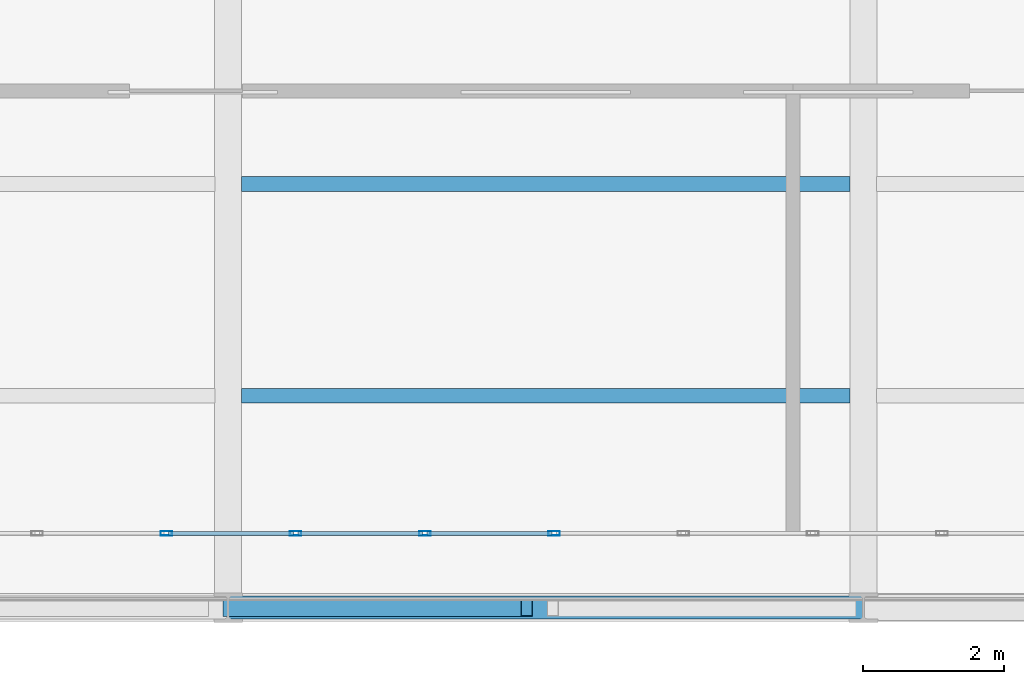
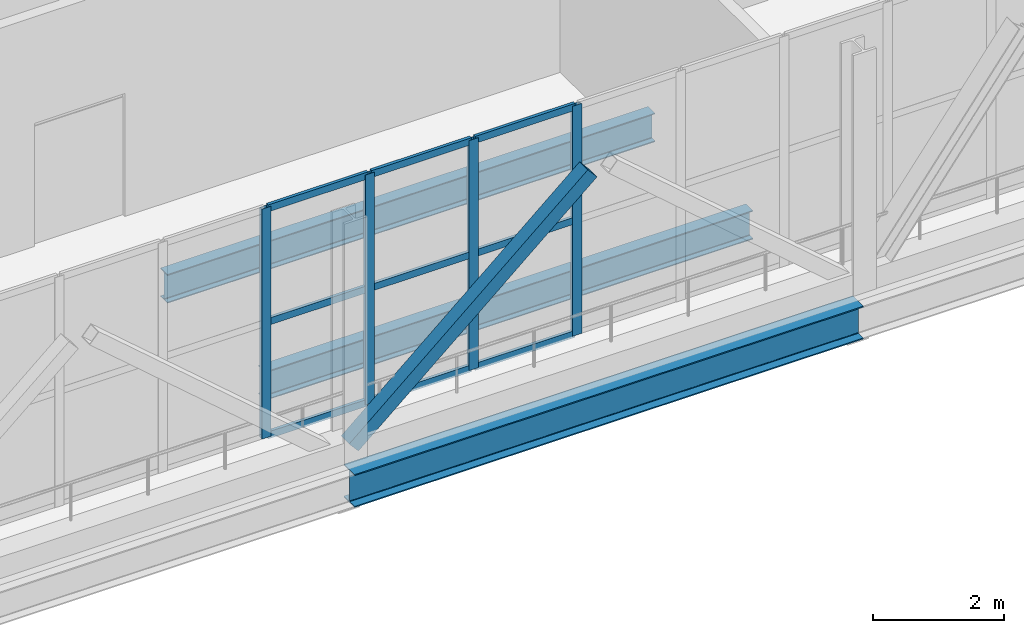
# One storey, part 4 of 26: 14 members, 3 beams, 1 element without a shape of its own.
"""IFC4 building model written with IfcOpenShell, lengths in metres."""

from ifc_helpers import new_model, si_unit, direction, frame, origin, origin_2d, place, context, subcontext, project, spatial, hollow_rectangle, i_section, extrude, material, layer, layer_set, material_profile, profile_set, type_object, element, aggregate, save


model = new_model("IFC4")

# Units and contexts
model_context = context("Model", 3, precision=1e-05, world=origin(), true_north=direction((0.0, 1.0)))
body_context = subcontext(model_context, "Body", "Model", "MODEL_VIEW")
ifc_project = project(units=[si_unit("LENGTHUNIT", "METRE"), si_unit("AREAUNIT", "SQUARE_METRE"), si_unit("VOLUMEUNIT", "CUBIC_METRE"), si_unit("PLANEANGLEUNIT", "RADIAN"), si_unit("MASSUNIT", "GRAM", prefix="KILO")], contexts=[model_context])

# Site, building, storey
site_placement = place(None, origin())
site = spatial("IfcSite", under=ifc_project, at=site_placement, CompositionType="ELEMENT")
building_placement = place(site_placement, origin())
building = spatial("IfcBuilding", under=site, at=building_placement, Name="Mawjdan Bourse Tower", CompositionType="ELEMENT")
storey_placement = place(building_placement, frame((0.0, 0.0, 226.800048828125)))
storey = spatial("IfcBuildingStorey", under=building, at=storey_placement, Name="L55", CompositionType="ELEMENT", Elevation=226.800048828125)

# Member
ifc_material_1 = material(Name="Structural Steel S355", Category="steel")
ifc_material_profile_1 = material_profile(ifc_material_1, hollow_rectangle(XDim=0.25, YDim=0.25, WallThickness=0.012451171875, at=origin_2d()), Name="HSS250X250X12.5")
ifc_profile_set_1 = profile_set([ifc_material_profile_1], Name="Structural Steel S355")
member_type_1 = type_object("IfcMemberType", Name="BRC-HSS250X250X12.5", PredefinedType="BRACE", material=ifc_profile_set_1)
member_1_placement = place(storey_placement, frame((33.008544921875, 3.0, 0.199951171875), z_axis=(0.756383065472, 0.0, 0.65412893092), x_axis=(0.0, 1.0, 0.0)))
element("IfcMember", 1, at=member_1_placement, inside=storey, type_object=member_type_1, Name="L55 East Outrigger Truss 1 Diagonal 3", PredefinedType="BRACE", context=body_context, shape_type="SweptSolid", body=[
    extrude(hollow_rectangle(XDim=0.25, YDim=0.25, WallThickness=0.012451171875, at=origin_2d()), origin(), (0.0, 0.0, 1.0), 5.579833984375),
])

# Beams
ifc_material_profile_2 = material_profile(ifc_material_1, i_section(OverallWidth=0.2099609375, OverallDepth=0.537109375, WebThickness=0.010986328125, FlangeThickness=0.017333984375, FilletRadius=0.013916015625, at=origin_2d()), Name="W21X68")
ifc_profile_set_2 = profile_set([ifc_material_profile_2], Name="Structural Steel S355")
beam_type_1 = type_object("IfcBeamType", Name="JST-W21X68", PredefinedType="JOIST", material=ifc_profile_set_2)
for number, where, z_axis, x_axis, name in (
    (2, (33.1884765625, 6.0, -0.548583984375), (1.0, 0.0, 0.0), (0.0, 1.0, 0.0), "L55 East Wing Composite Joist 018"),
    (3, (33.1884765625, 9.0, -0.548583984375), (1.0, 0.0, 0.0), (0.0, 1.0, 0.0), "L55 East Wing Composite Joist 023"),
):
    element("IfcBeam", number, at=place(storey_placement, frame(where, z_axis=z_axis, x_axis=x_axis)), inside=storey, type_object=beam_type_1, Name=name, PredefinedType="JOIST", context=body_context, shape_type="SweptSolid", body=[
        extrude(i_section(OverallWidth=0.2099609375, OverallDepth=0.537109375, WebThickness=0.010986328125, FlangeThickness=0.017333984375, FilletRadius=0.013916015625, at=origin_2d()), origin(), (0.0, 0.0, 1.0), 8.623046875),
    ])

# Curtain wall, members
ifc_material_2 = material(Name="Thermally Broken Aluminium and Solar Glass", Category="aluminium")
ifc_layer = layer(ifc_material_2, 0.219970703125)
ifc_layer_set = layer_set([ifc_layer], Name="Thermally Broken Aluminium and Solar Glass")
curtain_wall_type = type_object("IfcCurtainWallType", Name="CW-RFG", PredefinedType="USERDEFINED", material=ifc_layer_set)
curtain_wall_placement = place(storey_placement, origin())
curtain_wall = element("IfcCurtainWall", 4, at=curtain_wall_placement, inside=storey, type_object=curtain_wall_type, Name="L55 Refuge Band South Louvre Curtain Wall", ObjectType="REFUGE BAND LOUVRE SCREEN", PredefinedType="USERDEFINED")
ifc_material_3 = material(Name="Thermally Broken Anodised Aluminium", Category="aluminium")
ifc_material_profile_3 = material_profile(ifc_material_3, hollow_rectangle(XDim=0.06494140625, YDim=0.1650390625, WallThickness=0.00390625, at=origin_2d()), Name="ALU-MUL-165X65")
ifc_profile_set_3 = profile_set([ifc_material_profile_3], Name="Thermally Broken Anodised Aluminium")
member_type_2 = type_object("IfcMemberType", Name="MUL-ALU-MUL-165X65", PredefinedType="MULLION", material=ifc_profile_set_3)
member_2_placement = place(storey_placement, frame((32.125, 4.050048828125, 0.0), z_axis=(0.0, 0.0, 1.0), x_axis=(0.0, 1.0, 0.0)))
member_2 = element("IfcMember", 5, at=member_2_placement, type_object=member_type_2, Name="CW-RFG-L55-RFG-S mullion 5", PredefinedType="MULLION", context=body_context, shape_type="SweptSolid", body=[
    extrude(hollow_rectangle(XDim=0.06494140625, YDim=0.1650390625, WallThickness=0.00390625, at=origin_2d()), origin(), (0.0, 0.0, 1.0), 4.300048828125),
])
member_3_placement = place(storey_placement, frame((33.956298828125, 4.050048828125, 0.0), z_axis=(0.0, 0.0, 1.0), x_axis=(0.0, 1.0, 0.0)))
member_3 = element("IfcMember", 6, at=member_3_placement, type_object=member_type_2, Name="CW-RFG-L55-RFG-S mullion 6", PredefinedType="MULLION", context=body_context, shape_type="SweptSolid", body=[
    extrude(hollow_rectangle(XDim=0.06494140625, YDim=0.1650390625, WallThickness=0.00390625, at=origin_2d()), origin(), (0.0, 0.0, 1.0), 4.300048828125),
])
member_4_placement = place(storey_placement, frame((35.78759765625, 4.050048828125, 0.0), z_axis=(0.0, 0.0, 1.0), x_axis=(0.0, 1.0, 0.0)))
member_4 = element("IfcMember", 7, at=member_4_placement, type_object=member_type_2, Name="CW-RFG-L55-RFG-S mullion 7", PredefinedType="MULLION", context=body_context, shape_type="SweptSolid", body=[
    extrude(hollow_rectangle(XDim=0.06494140625, YDim=0.1650390625, WallThickness=0.00390625, at=origin_2d()), origin(), (0.0, 0.0, 1.0), 4.300048828125),
])
member_5_placement = place(storey_placement, frame((37.61865234375, 4.050048828125, 0.0), z_axis=(0.0, 0.0, 1.0), x_axis=(0.0, 1.0, 0.0)))
member_5 = element("IfcMember", 8, at=member_5_placement, type_object=member_type_2, Name="CW-RFG-L55-RFG-S mullion 8", PredefinedType="MULLION", context=body_context, shape_type="SweptSolid", body=[
    extrude(hollow_rectangle(XDim=0.06494140625, YDim=0.1650390625, WallThickness=0.00390625, at=origin_2d()), origin(), (0.0, 0.0, 1.0), 4.300048828125),
])

# Beam
ifc_material_profile_4 = material_profile(ifc_material_1, i_section(OverallWidth=0.324951171875, OverallDepth=0.616943359375, WebThickness=0.013916015625, FlangeThickness=0.021484375, FilletRadius=0.017333984375, at=origin_2d()), Name="W24X117")
ifc_profile_set_4 = profile_set([ifc_material_profile_4], Name="Structural Steel S355")
beam_type_2 = type_object("IfcBeamType", Name="SPN-W24X117", PredefinedType="SPANDREL", material=ifc_profile_set_4)
beam_placement = place(storey_placement, frame((33.0, 3.0, -0.588623046875), z_axis=(1.0, 0.0, 0.0), x_axis=(0.0, 1.0, 0.0)))
element("IfcBeam", 9, at=beam_placement, inside=storey, type_object=beam_type_2, Name="L55 Perimeter Masonry-Shelf Spandrel 008", PredefinedType="SPANDREL", context=body_context, shape_type="SweptSolid", body=[
    extrude(i_section(OverallWidth=0.324951171875, OverallDepth=0.616943359375, WebThickness=0.013916015625, FlangeThickness=0.021484375, FilletRadius=0.017333984375, at=origin_2d()), origin(), (0.0, 0.0, 1.0), 9.0),
])

# Member
ifc_material_profile_5 = material_profile(ifc_material_3, hollow_rectangle(XDim=0.054931640625, YDim=0.1298828125, WallThickness=0.00341796875, at=origin_2d()), Name="ALU-TRN-130X55")
ifc_profile_set_5 = profile_set([ifc_material_profile_5], Name="Thermally Broken Anodised Aluminium")
member_type_3 = type_object("IfcMemberType", Name="TRN-ALU-TRN-130X55", PredefinedType="USERDEFINED", material=ifc_profile_set_5)
member_6_placement = place(storey_placement, frame((32.157470703125, 4.050048828125, 0.02734375), z_axis=(1.0, 0.0, 0.0), x_axis=(0.0, 1.0, 0.0)))
member_6 = element("IfcMember", 10, at=member_6_placement, type_object=member_type_3, Name="CW-RFG-L55-RFG-S transom 5.1", ObjectType="TRANSOM", PredefinedType="USERDEFINED", context=body_context, shape_type="SweptSolid", body=[
    extrude(hollow_rectangle(XDim=0.054931640625, YDim=0.1298828125, WallThickness=0.00341796875, at=origin_2d()), origin(), (0.0, 0.0, 1.0), 1.766357421875),
])

member_7_placement = place(storey_placement, frame((32.157470703125, 4.050048828125, 2.14990234375), z_axis=(1.0, 0.0, 0.0), x_axis=(0.0, 1.0, 0.0)))
member_7 = element("IfcMember", 11, at=member_7_placement, type_object=member_type_3, Name="CW-RFG-L55-RFG-S transom 5.2", ObjectType="TRANSOM", PredefinedType="USERDEFINED", context=body_context, shape_type="SweptSolid", body=[
    extrude(hollow_rectangle(XDim=0.054931640625, YDim=0.1298828125, WallThickness=0.00341796875, at=origin_2d()), origin(), (0.0, 0.0, 1.0), 1.766357421875),
])

member_8_placement = place(storey_placement, frame((32.157470703125, 4.050048828125, 4.2724609375), z_axis=(1.0, 0.0, 0.0), x_axis=(0.0, 1.0, 0.0)))
member_8 = element("IfcMember", 12, at=member_8_placement, type_object=member_type_3, Name="CW-RFG-L55-RFG-S transom 5.3", ObjectType="TRANSOM", PredefinedType="USERDEFINED", context=body_context, shape_type="SweptSolid", body=[
    extrude(hollow_rectangle(XDim=0.054931640625, YDim=0.1298828125, WallThickness=0.00341796875, at=origin_2d()), origin(), (0.0, 0.0, 1.0), 1.766357421875),
])

member_9_placement = place(storey_placement, frame((33.98876953125, 4.050048828125, 0.02734375), z_axis=(1.0, 0.0, 0.0), x_axis=(0.0, 1.0, 0.0)))
member_9 = element("IfcMember", 13, at=member_9_placement, type_object=member_type_3, Name="CW-RFG-L55-RFG-S transom 6.1", ObjectType="TRANSOM", PredefinedType="USERDEFINED", context=body_context, shape_type="SweptSolid", body=[
    extrude(hollow_rectangle(XDim=0.054931640625, YDim=0.1298828125, WallThickness=0.00341796875, at=origin_2d()), origin(), (0.0, 0.0, 1.0), 1.76611328125),
])

member_10_placement = place(storey_placement, frame((33.98876953125, 4.050048828125, 2.14990234375), z_axis=(1.0, 0.0, 0.0), x_axis=(0.0, 1.0, 0.0)))
member_10 = element("IfcMember", 14, at=member_10_placement, type_object=member_type_3, Name="CW-RFG-L55-RFG-S transom 6.2", ObjectType="TRANSOM", PredefinedType="USERDEFINED", context=body_context, shape_type="SweptSolid", body=[
    extrude(hollow_rectangle(XDim=0.054931640625, YDim=0.1298828125, WallThickness=0.00341796875, at=origin_2d()), origin(), (0.0, 0.0, 1.0), 1.76611328125),
])

member_11_placement = place(storey_placement, frame((33.98876953125, 4.050048828125, 4.2724609375), z_axis=(1.0, 0.0, 0.0), x_axis=(0.0, 1.0, 0.0)))
member_11 = element("IfcMember", 15, at=member_11_placement, type_object=member_type_3, Name="CW-RFG-L55-RFG-S transom 6.3", ObjectType="TRANSOM", PredefinedType="USERDEFINED", context=body_context, shape_type="SweptSolid", body=[
    extrude(hollow_rectangle(XDim=0.054931640625, YDim=0.1298828125, WallThickness=0.00341796875, at=origin_2d()), origin(), (0.0, 0.0, 1.0), 1.76611328125),
])

member_12_placement = place(storey_placement, frame((35.820068359375, 4.050048828125, 0.02734375), z_axis=(1.0, 0.0, 0.0), x_axis=(0.0, 1.0, 0.0)))
member_12 = element("IfcMember", 16, at=member_12_placement, type_object=member_type_3, Name="CW-RFG-L55-RFG-S transom 7.1", ObjectType="TRANSOM", PredefinedType="USERDEFINED", context=body_context, shape_type="SweptSolid", body=[
    extrude(hollow_rectangle(XDim=0.054931640625, YDim=0.1298828125, WallThickness=0.00341796875, at=origin_2d()), origin(), (0.0, 0.0, 1.0), 1.76611328125),
])

member_13_placement = place(storey_placement, frame((35.820068359375, 4.050048828125, 2.14990234375), z_axis=(1.0, 0.0, 0.0), x_axis=(0.0, 1.0, 0.0)))
member_13 = element("IfcMember", 17, at=member_13_placement, type_object=member_type_3, Name="CW-RFG-L55-RFG-S transom 7.2", ObjectType="TRANSOM", PredefinedType="USERDEFINED", context=body_context, shape_type="SweptSolid", body=[
    extrude(hollow_rectangle(XDim=0.054931640625, YDim=0.1298828125, WallThickness=0.00341796875, at=origin_2d()), origin(), (0.0, 0.0, 1.0), 1.76611328125),
])

member_14_placement = place(storey_placement, frame((35.820068359375, 4.050048828125, 4.2724609375), z_axis=(1.0, 0.0, 0.0), x_axis=(0.0, 1.0, 0.0)))
member_14 = element("IfcMember", 18, at=member_14_placement, type_object=member_type_3, Name="CW-RFG-L55-RFG-S transom 7.3", ObjectType="TRANSOM", PredefinedType="USERDEFINED", context=body_context, shape_type="SweptSolid", body=[
    extrude(hollow_rectangle(XDim=0.054931640625, YDim=0.1298828125, WallThickness=0.00341796875, at=origin_2d()), origin(), (0.0, 0.0, 1.0), 1.76611328125),
])

aggregate(curtain_wall, [member_2, member_3, member_4, member_5, member_6, member_7, member_8, member_9, member_10, member_11, member_12, member_13, member_14])

save(model, "model.ifc")
